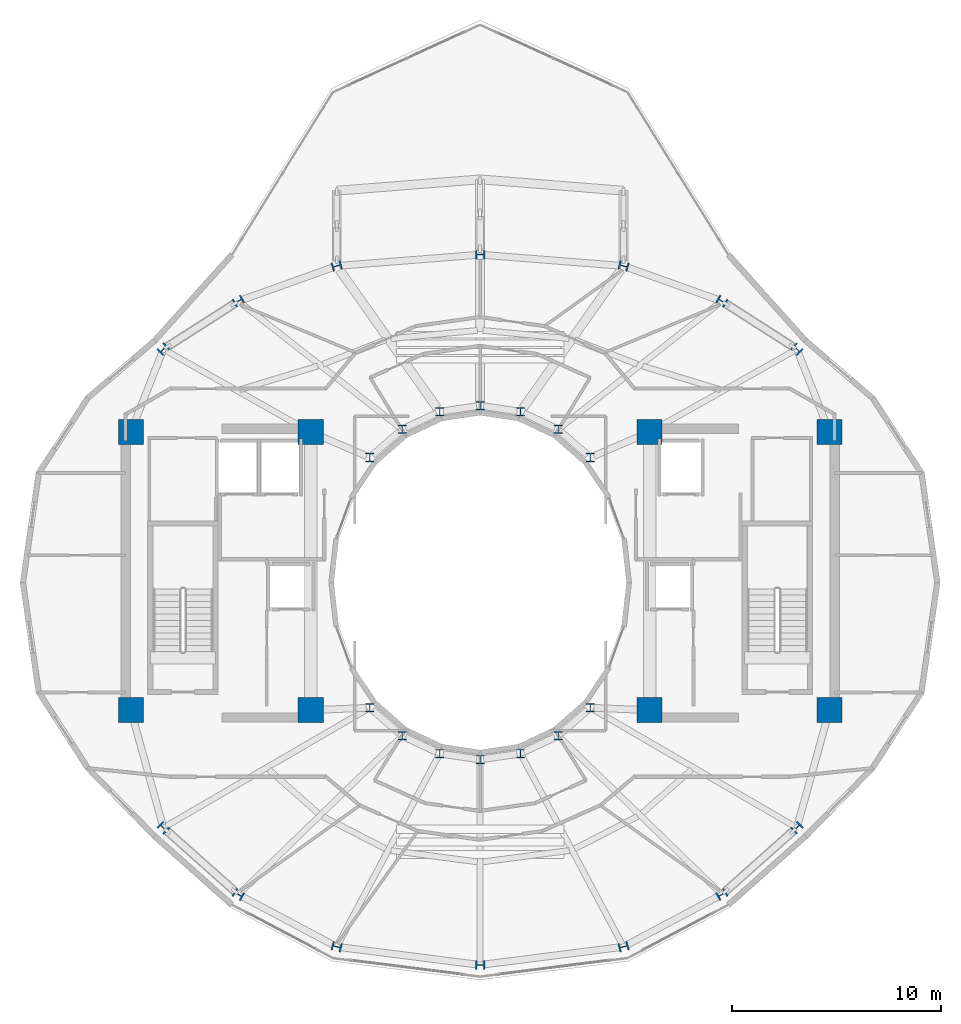
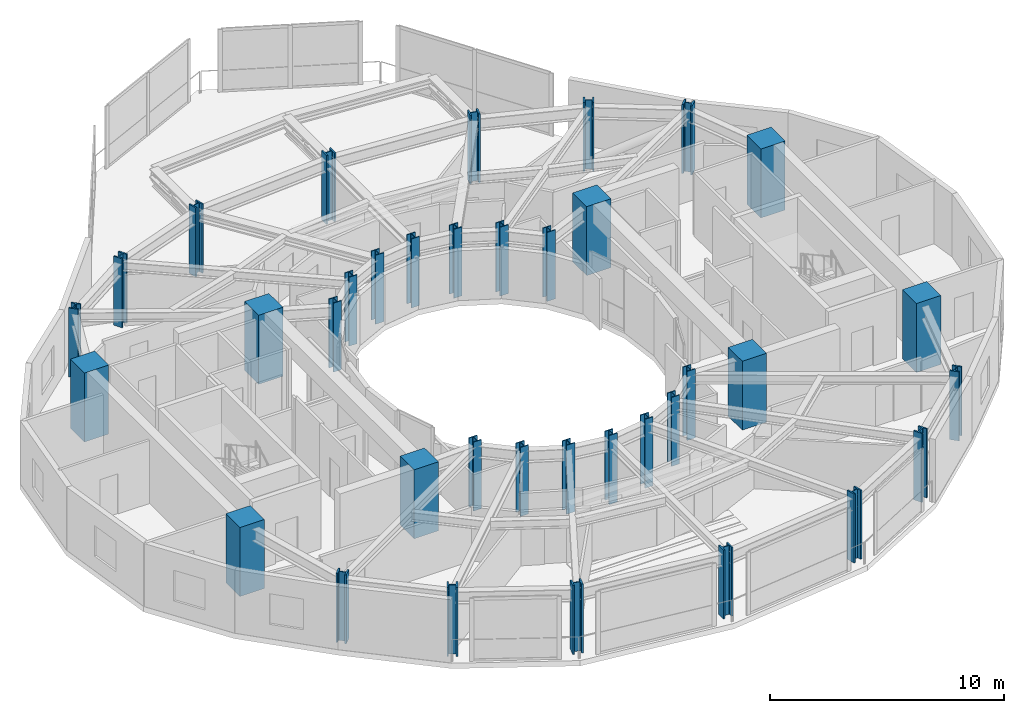
# One storey, part 1 of 24: 36 columns.
"""IFC4 building model written with IfcOpenShell, lengths in metres."""

from ifc_helpers import new_model, si_unit, direction, frame, origin, origin_2d, place, context, subcontext, project, spatial, rectangle, i_section, extrude, material, material_profile, profile_set, type_object, element, save


model = new_model("IFC4")

# Units and contexts
model_context = context("Model", 3, precision=1e-05, world=origin(), true_north=direction((0.0, 1.0)))
body_context = subcontext(model_context, "Body", "Model", "MODEL_VIEW")
ifc_project = project(units=[si_unit("LENGTHUNIT", "METRE"), si_unit("AREAUNIT", "SQUARE_METRE"), si_unit("VOLUMEUNIT", "CUBIC_METRE"), si_unit("PLANEANGLEUNIT", "RADIAN"), si_unit("MASSUNIT", "GRAM", prefix="KILO")], contexts=[model_context])

# Site, building, storey
site_placement = place(None, origin())
site = spatial("IfcSite", under=ifc_project, at=site_placement, CompositionType="ELEMENT")
building_placement = place(site_placement, origin())
building = spatial("IfcBuilding", under=site, at=building_placement, Name="Solvane Sanctuary Tower", CompositionType="ELEMENT")
storey_placement = place(building_placement, frame((0.0, 0.0, 253.199951171875)))
storey = spatial("IfcBuildingStorey", under=building, at=storey_placement, Name="L77", CompositionType="ELEMENT", Elevation=253.199951171875)

# Columns
ifc_material_1 = material(Name="Steel ASTM A913 Grade 65", Category="steel")
ifc_material_profile_1 = material_profile(ifc_material_1, i_section(OverallWidth=0.422119140625, OverallDepth=0.465087890625, WebThickness=0.044921875, FlangeThickness=0.072509765625, FilletRadius=0.02490234375, at=origin_2d()), Name="W14X398")
ifc_profile_set_1 = profile_set([ifc_material_profile_1], Name="Steel ASTM A913 Grade 65")
column_type_1 = type_object("IfcColumnType", Name="Column C-CANT W14X398", PredefinedType="COLUMN", material=ifc_profile_set_1)
for number, where, z_axis, x_axis, name in (
    (1, (47.14501953125, 34.159423828125, 0.0), (0.0, 0.0, 1.0), (0.707106781187, 0.707106781187, 0.0), "L77 Perimeter Tube Column TC01"),
    (2, (43.55517578125, 36.45703125, 0.0), (0.0, 0.0, 1.0), (0.5, 0.866025403784, 0.0), "L77 Perimeter Tube Column TC02"),
    (3, (38.856201171875, 38.13818359375, 0.0), (0.0, 0.0, 1.0), (0.258819045103, 0.965925826289, 0.0), "L77 Perimeter Tube Column TC03"),
    (4, (32.0, 38.679931640625, 0.0), (0.0, 0.0, 1.0), (0.0, 1.0, 0.0), "L77 Perimeter Tube Column TC04"),
    (5, (25.143798828125, 38.13818359375, 0.0), (0.0, 0.0, 1.0), (-0.258819045103, 0.965925826289, 0.0), "L77 Perimeter Tube Column TC05"),
    (6, (20.44482421875, 36.45703125, 0.0), (0.0, 0.0, 1.0), (-0.5, 0.866025403784, 0.0), "L77 Perimeter Tube Column TC06"),
    (7, (16.85498046875, 34.159423828125, 0.0), (0.0, 0.0, 1.0), (-0.707106781187, 0.707106781187, 0.0), "L77 Perimeter Tube Column TC07"),
    (8, (16.85498046875, 11.279052734375, 0.0), (0.0, 0.0, 1.0), (-0.707106781187, -0.707106781187, 0.0), "L77 Perimeter Tube Column TC08"),
    (9, (20.44482421875, 8.086181640625, 0.0), (0.0, 0.0, 1.0), (-0.5, -0.866025403784, 0.0), "L77 Perimeter Tube Column TC09"),
    (10, (25.143798828125, 5.588623046875, 0.0), (0.0, 0.0, 1.0), (-0.258819045103, -0.965925826289, 0.0), "L77 Perimeter Tube Column TC10"),
    (11, (32.0, 4.719970703125, 0.0), (0.0, 0.0, 1.0), (0.0, -1.0, 0.0), "L77 Perimeter Tube Column TC11"),
    (12, (38.856201171875, 5.588623046875, 0.0), (0.0, 0.0, 1.0), (0.258819045103, -0.965925826289, 0.0), "L77 Perimeter Tube Column TC12"),
    (13, (43.55517578125, 8.086181640625, 0.0), (0.0, 0.0, 1.0), (0.5, -0.866025403784, 0.0), "L77 Perimeter Tube Column TC13"),
    (14, (47.14501953125, 11.279052734375, 0.0), (0.0, 0.0, 1.0), (0.707106781187, -0.707106781187, 0.0), "L77 Perimeter Tube Column TC14"),
):
    element("IfcColumn", number, at=place(storey_placement, frame(where, z_axis=z_axis, x_axis=x_axis)), inside=storey, type_object=column_type_1, Name=name, PredefinedType="COLUMN", context=body_context, shape_type="SweptSolid", body=[
        extrude(i_section(OverallWidth=0.422119140625, OverallDepth=0.465087890625, WebThickness=0.044921875, FlangeThickness=0.072509765625, FilletRadius=0.02490234375, at=origin_2d()), origin(), (0.0, 0.0, 1.0), 3.60009765625),
    ])
ifc_material_profile_2 = material_profile(ifc_material_1, i_section(OverallWidth=0.404052734375, OverallDepth=0.406982421875, WebThickness=0.027099609375, FlangeThickness=0.043701171875, FilletRadius=0.02490234375, at=origin_2d()), Name="W14X233")
ifc_profile_set_2 = profile_set([ifc_material_profile_2], Name="Steel ASTM A913 Grade 65")
column_type_2 = type_object("IfcColumnType", Name="Column C-LOUNGE W14X233", PredefinedType="COLUMN", material=ifc_profile_set_2)
for number, where, z_axis, x_axis, name in (
    (15, (37.27490234375, 28.982177734375, 0.0), (0.0, 0.0, 1.0), (1.0, 0.0, 0.0), "L77 Inner Light-Well Ring Column IC01"),
    (16, (35.72998046875, 30.32666015625, 0.0), (0.0, 0.0, 1.0), (1.0, 0.0, 0.0), "L77 Inner Light-Well Ring Column IC02"),
    (17, (33.930908203125, 31.171630859375, 0.0), (0.0, 0.0, 1.0), (1.0, 0.0, 0.0), "L77 Inner Light-Well Ring Column IC03"),
    (18, (32.0, 31.4599609375, 0.0), (0.0, 0.0, 1.0), (1.0, 0.0, 0.0), "L77 Inner Light-Well Ring Column IC04"),
    (19, (30.069091796875, 31.171630859375, 0.0), (0.0, 0.0, 1.0), (1.0, 0.0, 0.0), "L77 Inner Light-Well Ring Column IC05"),
    (20, (28.27001953125, 30.32666015625, 0.0), (0.0, 0.0, 1.0), (1.0, 0.0, 0.0), "L77 Inner Light-Well Ring Column IC06"),
    (21, (26.72509765625, 28.982177734375, 0.0), (0.0, 0.0, 1.0), (1.0, 0.0, 0.0), "L77 Inner Light-Well Ring Column IC07"),
    (22, (26.72509765625, 17.017822265625, 0.0), (0.0, 0.0, 1.0), (1.0, 0.0, 0.0), "L77 Inner Light-Well Ring Column IC08"),
    (23, (28.27001953125, 15.67333984375, 0.0), (0.0, 0.0, 1.0), (1.0, 0.0, 0.0), "L77 Inner Light-Well Ring Column IC09"),
    (24, (30.069091796875, 14.828369140625, 0.0), (0.0, 0.0, 1.0), (1.0, 0.0, 0.0), "L77 Inner Light-Well Ring Column IC10"),
    (25, (32.0, 14.5400390625, 0.0), (0.0, 0.0, 1.0), (1.0, 0.0, 0.0), "L77 Inner Light-Well Ring Column IC11"),
    (26, (33.930908203125, 14.828369140625, 0.0), (0.0, 0.0, 1.0), (1.0, 0.0, 0.0), "L77 Inner Light-Well Ring Column IC12"),
    (27, (35.72998046875, 15.67333984375, 0.0), (0.0, 0.0, 1.0), (1.0, 0.0, 0.0), "L77 Inner Light-Well Ring Column IC13"),
    (28, (37.27490234375, 17.017822265625, 0.0), (0.0, 0.0, 1.0), (1.0, 0.0, 0.0), "L77 Inner Light-Well Ring Column IC14"),
):
    element("IfcColumn", number, at=place(storey_placement, frame(where, z_axis=z_axis, x_axis=x_axis)), inside=storey, type_object=column_type_2, Name=name, PredefinedType="COLUMN", context=body_context, shape_type="SweptSolid", body=[
        extrude(i_section(OverallWidth=0.404052734375, OverallDepth=0.406982421875, WebThickness=0.027099609375, FlangeThickness=0.043701171875, FilletRadius=0.02490234375, at=origin_2d()), origin(), (0.0, 0.0, 1.0), 3.60009765625),
    ])
ifc_material_2 = material(Name="Concrete C70/85", Category="concrete")
ifc_material_profile_3 = material_profile(ifc_material_2, rectangle(XDim=1.199951171875, YDim=1.199951171875, at=origin_2d()), Name="RC1200X1200")
ifc_profile_set_3 = profile_set([ifc_material_profile_3], Name="Concrete C70/85")
column_type_3 = type_object("IfcColumnType", Name="Column C-TUBE-Z1 RC1200X1200", PredefinedType="COLUMN", material=ifc_profile_set_3)
for number, where, z_axis, x_axis, name in (
    (29, (15.300048828125, 16.89990234375, 0.0), (0.0, 0.0, 1.0), (1.0, 0.0, 0.0), "L77 Core Corner Column CW1"),
    (30, (23.89990234375, 16.89990234375, 0.0), (0.0, 0.0, 1.0), (1.0, 0.0, 0.0), "L77 Core Corner Column CW2"),
    (31, (23.89990234375, 30.199951171875, 0.0), (0.0, 0.0, 1.0), (1.0, 0.0, 0.0), "L77 Core Corner Column CW3"),
    (32, (15.300048828125, 30.199951171875, 0.0), (0.0, 0.0, 1.0), (1.0, 0.0, 0.0), "L77 Core Corner Column CW4"),
    (33, (40.10009765625, 16.89990234375, 0.0), (0.0, 0.0, 1.0), (1.0, 0.0, 0.0), "L77 Core Corner Column CE1"),
    (34, (48.699951171875, 16.89990234375, 0.0), (0.0, 0.0, 1.0), (1.0, 0.0, 0.0), "L77 Core Corner Column CE2"),
    (35, (48.699951171875, 30.199951171875, 0.0), (0.0, 0.0, 1.0), (1.0, 0.0, 0.0), "L77 Core Corner Column CE3"),
    (36, (40.10009765625, 30.199951171875, 0.0), (0.0, 0.0, 1.0), (1.0, 0.0, 0.0), "L77 Core Corner Column CE4"),
):
    element("IfcColumn", number, at=place(storey_placement, frame(where, z_axis=z_axis, x_axis=x_axis)), inside=storey, type_object=column_type_3, Name=name, PredefinedType="COLUMN", context=body_context, shape_type="SweptSolid", body=[
        extrude(rectangle(XDim=1.199951171875, YDim=1.199951171875, at=origin_2d()), origin(), (0.0, 0.0, 1.0), 3.60009765625),
    ])

save(model, "model.ifc")
